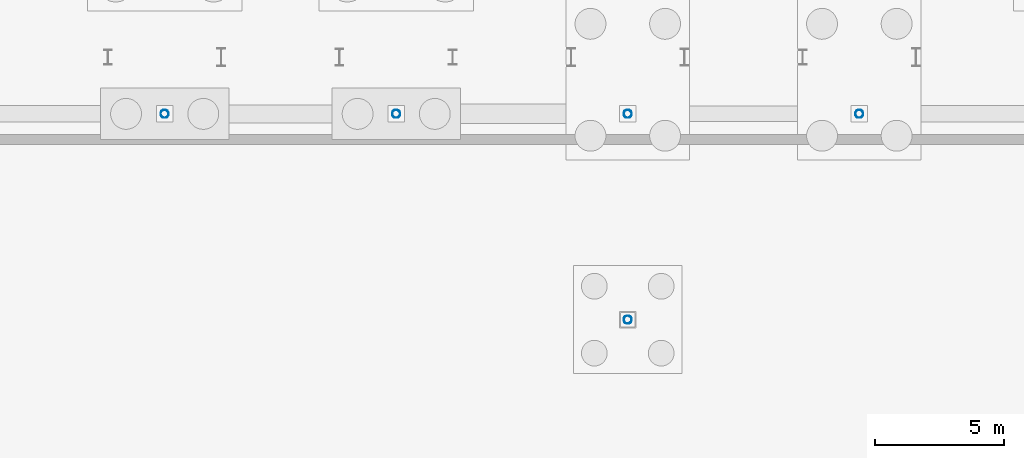
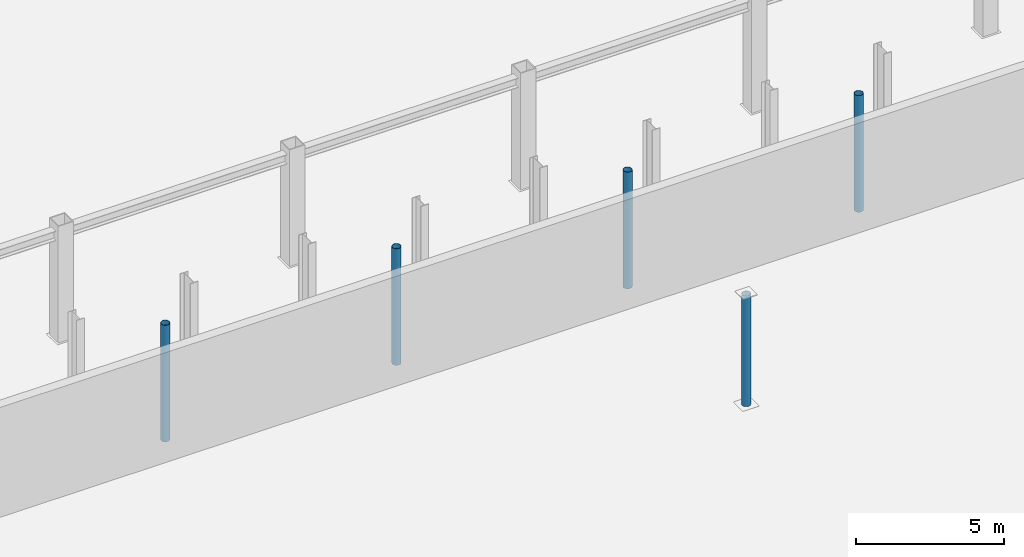
# One storey, part 17 of 74: 5 columns.
"""IFC4 building model written with IfcOpenShell, lengths in metres."""

from ifc_helpers import new_model, si_unit, direction, frame, origin, origin_2d, place, context, subcontext, project, spatial, hollow_circle, extrude, material, material_profile, profile_set, type_object, element, save


model = new_model("IFC4")

# Units and contexts
model_context = context("Model", 3, precision=1e-05, world=origin(), true_north=direction((0.0, 1.0)))
body_context = subcontext(model_context, "Body", "Model", "MODEL_VIEW")
ifc_project = project(units=[si_unit("LENGTHUNIT", "METRE"), si_unit("AREAUNIT", "SQUARE_METRE"), si_unit("VOLUMEUNIT", "CUBIC_METRE"), si_unit("PLANEANGLEUNIT", "RADIAN"), si_unit("MASSUNIT", "GRAM", prefix="KILO")], contexts=[model_context])

# Site, building, storey
site_placement = place(None, origin())
site = spatial("IfcSite", under=ifc_project, at=site_placement, CompositionType="ELEMENT")
building_placement = place(site_placement, origin())
building = spatial("IfcBuilding", under=site, at=building_placement, Name="Suzunagisa Mobility Hub", CompositionType="ELEMENT")
storey_placement = place(building_placement, frame((0.0, 0.0, -4.800048828125)))
storey = spatial("IfcBuildingStorey", under=building, at=storey_placement, Name="B1", CompositionType="ELEMENT", Elevation=-4.800048828125)

# Columns
ifc_material = material(Name="Steel SN490B", Category="steel")
ifc_material_profile = material_profile(ifc_material, hollow_circle(Radius=0.1591796875, WallThickness=0.01025390625, at=origin_2d()), Name="CHS-318.5x10.3")
ifc_profile_set = profile_set([ifc_material_profile], Name="Steel SN490B")
column_type = type_object("IfcColumnType", Name="Steel Column CL-09 CHS-318.5x10.3", PredefinedType="COLUMN", material=ifc_profile_set)
for number, where, z_axis, x_axis, name in (
    (1, (63.0, 29.0, 0.0), (0.0, 0.0, 1.0), (1.0, 0.0, 0.0), "B1 Column 134"),
    (2, (72.0, 29.0, 0.0), (0.0, 0.0, 1.0), (1.0, 0.0, 0.0), "B1 Column 150"),
):
    element("IfcColumn", number, at=place(storey_placement, frame(where, z_axis=z_axis, x_axis=x_axis)), inside=storey, type_object=column_type, Name=name, PredefinedType="COLUMN", context=body_context, shape_type="SweptSolid", body=[
        extrude(hollow_circle(Radius=0.1591796875, WallThickness=0.01025390625, at=origin_2d()), origin(), (0.0, 0.0, 1.0), 4.800048828125),
    ])
column_placement = place(storey_placement, frame((81.0, 21.0, 0.0), z_axis=(0.0, 0.0, 1.0), x_axis=(1.0, 0.0, 0.0)))
element("IfcColumn", 3, at=column_placement, inside=storey, type_object=column_type, Name="B1 Column 165", PredefinedType="COLUMN", context=body_context, shape_type="SweptSolid", body=[
    extrude(hollow_circle(Radius=0.1591796875, WallThickness=0.01025390625, at=origin_2d()), origin(), (0.0, 0.0, 1.0), 4.554931640625),
])
for number, where, z_axis, x_axis, name in (
    (4, (81.0, 29.0, 0.0), (0.0, 0.0, 1.0), (1.0, 0.0, 0.0), "B1 Column 166"),
    (5, (90.0, 29.0, 0.0), (0.0, 0.0, 1.0), (1.0, 0.0, 0.0), "B1 Column 182"),
):
    element("IfcColumn", number, at=place(storey_placement, frame(where, z_axis=z_axis, x_axis=x_axis)), inside=storey, type_object=column_type, Name=name, PredefinedType="COLUMN", context=body_context, shape_type="SweptSolid", body=[
        extrude(hollow_circle(Radius=0.1591796875, WallThickness=0.01025390625, at=origin_2d()), origin(), (0.0, 0.0, 1.0), 4.800048828125),
    ])

save(model, "model.ifc")
